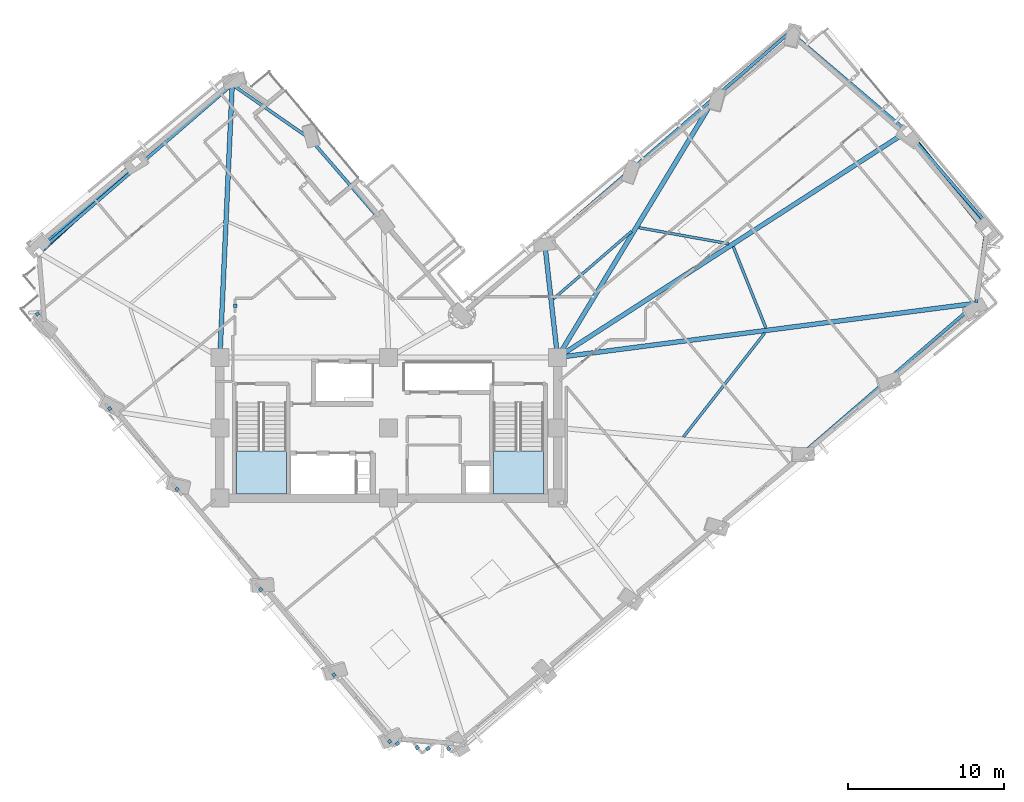
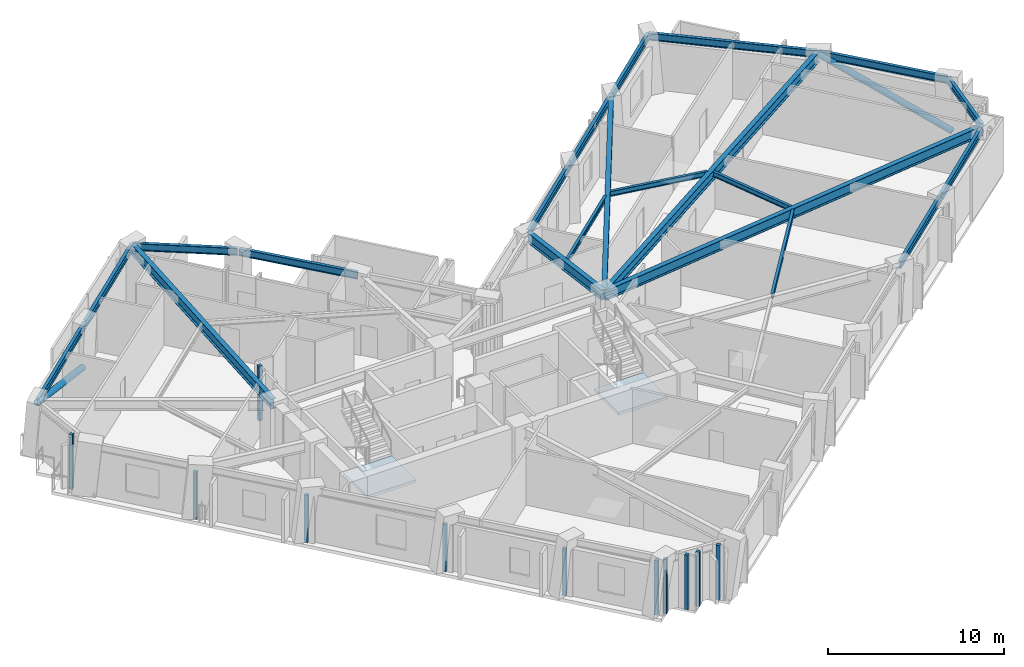
# One storey, part 2 of 14: 21 beams, 11 plates, 2 members, 2 slabs, 2 elements without a shape of their own.
"""IFC4 building model written with IfcOpenShell, lengths in metres."""

from ifc_helpers import new_model, si_unit, direction, frame, origin, origin_2d, place, context, subcontext, project, spatial, polyline, rectangle, hollow_circle, i_section, outline, extrude, material, layer, layer_set, material_profile, profile_set, type_object, element, aggregate, save


model = new_model("IFC4")

# Units and contexts
model_context = context("Model", 3, precision=1e-05, world=origin(), true_north=direction((0.0, 1.0)))
body_context = subcontext(model_context, "Body", "Model", "MODEL_VIEW")
ifc_project = project(units=[si_unit("LENGTHUNIT", "METRE"), si_unit("AREAUNIT", "SQUARE_METRE"), si_unit("VOLUMEUNIT", "CUBIC_METRE"), si_unit("PLANEANGLEUNIT", "RADIAN"), si_unit("MASSUNIT", "GRAM", prefix="KILO")], contexts=[model_context])

# Site, building, storey
site_placement = place(None, origin())
site = spatial("IfcSite", under=ifc_project, at=site_placement, CompositionType="ELEMENT")
building_placement = place(site_placement, origin())
building = spatial("IfcBuilding", under=site, at=building_placement, Name="Gaonmaruhae Medical Tower", CompositionType="ELEMENT")
storey_placement = place(building_placement, frame((0.0, 0.0, 193.800048828125)))
storey = spatial("IfcBuildingStorey", under=building, at=storey_placement, Name="L46", CompositionType="ELEMENT", Elevation=193.800048828125)

# Beams
ifc_material_1 = material(Name="Steel SM355", Category="steel")
ifc_material_profile_1 = material_profile(ifc_material_1, i_section(OverallWidth=0.175048828125, OverallDepth=0.35009765625, WebThickness=0.007080078125, FlangeThickness=0.010986328125, FilletRadius=0.012939453125, at=origin_2d()), Name="H-350x175x7x11")
ifc_profile_set_1 = profile_set([ifc_material_profile_1], Name="Steel SM355")
beam_type_1 = type_object("IfcBeamType", Name="FJ-02 Upper Zone Ward Floor Joist (H-350x175x7x11)", PredefinedType="JOIST", material=ifc_profile_set_1)
beam_1_placement = place(storey_placement, frame((43.654541015625, 11.718994140625, 3.60498046875), z_axis=(0.616280939373, 0.787526382901, 0.0), x_axis=(-0.787526382901, 0.616280939373, 0.0)))
element("IfcBeam", 1, at=beam_1_placement, inside=storey, type_object=beam_type_1, Name="L46 Secondary Floor Joist FJ03", PredefinedType="JOIST", context=body_context, shape_type="SweptSolid", body=[
    extrude(i_section(OverallWidth=0.175048828125, OverallDepth=0.35009765625, WebThickness=0.007080078125, FlangeThickness=0.010986328125, FilletRadius=0.012939453125, at=origin_2d()), origin(), (0.0, 0.0, 1.0), 8.432861328125),
])
beam_2_placement = place(storey_placement, frame((48.927001953125, 18.682373046875, 3.60498046875), z_axis=(-0.372622656474, 0.927982950211, 0.0), x_axis=(-0.927982950211, -0.372622656474, 0.0)))
element("IfcBeam", 2, at=beam_2_placement, inside=storey, type_object=beam_type_1, Name="L46 Secondary Floor Joist FJ04", PredefinedType="JOIST", context=body_context, shape_type="SweptSolid", body=[
    extrude(i_section(OverallWidth=0.175048828125, OverallDepth=0.35009765625, WebThickness=0.007080078125, FlangeThickness=0.010986328125, FilletRadius=0.012939453125, at=origin_2d()), origin(), (0.0, 0.0, 1.0), 5.601806640625),
])
beam_3_placement = place(storey_placement, frame((46.55810546875, 24.068115234375, 3.60498046875), z_axis=(-0.98429930746, 0.176507431386, 0.0), x_axis=(-0.176507431386, -0.98429930746, 0.0)))
element("IfcBeam", 3, at=beam_3_placement, inside=storey, type_object=beam_type_1, Name="L46 Secondary Floor Joist FJ05", PredefinedType="JOIST", context=body_context, shape_type="SweptSolid", body=[
    extrude(i_section(OverallWidth=0.175048828125, OverallDepth=0.35009765625, WebThickness=0.007080078125, FlangeThickness=0.010986328125, FilletRadius=0.012939453125, at=origin_2d()), origin(), (0.0, 0.0, 1.0), 5.8466796875),
])
beam_4_placement = place(storey_placement, frame((40.3359375, 24.867431640625, 3.60498046875), z_axis=(-0.756434277251, -0.654069708976, 0.0), x_axis=(0.654069708976, -0.756434277251, 0.0)))
element("IfcBeam", 4, at=beam_4_placement, inside=storey, type_object=beam_type_1, Name="L46 Secondary Floor Joist FJ06", PredefinedType="JOIST", context=body_context, shape_type="SweptSolid", body=[
    extrude(i_section(OverallWidth=0.175048828125, OverallDepth=0.35009765625, WebThickness=0.007080078125, FlangeThickness=0.010986328125, FilletRadius=0.012939453125, at=origin_2d()), origin(), (0.0, 0.0, 1.0), 6.611328125),
])

# Members
ifc_material_2 = material(Name="Steel SM420", Category="steel")
ifc_material_profile_2 = material_profile(ifc_material_2, hollow_circle(Radius=0.203125, WallThickness=0.0126953125, at=origin_2d()), Name="CHS-406.4x12.7")
ifc_profile_set_2 = profile_set([ifc_material_profile_2], Name="Steel SM420")
member_type = type_object("IfcMemberType", Name="PB-02 Perimeter Solid-Bay Tube Brace Mid (CHS-406.4x12.7)", PredefinedType="BRACE", material=ifc_profile_set_2)
member_1_placement = place(storey_placement, frame((63.067626953125, 24.86767578125, 0.25), z_axis=(-0.579531332691, 0.724982116544, 0.372215482107), x_axis=(-0.781107550174, -0.624396504683, 0.0)))
element("IfcMember", 5, at=member_1_placement, inside=storey, type_object=member_type, Name="L46 Perimeter Tube Solid-Bay Brace E01-E02", PredefinedType="BRACE", context=body_context, shape_type="SweptSolid", body=[
    extrude(hollow_circle(Radius=0.203125, WallThickness=0.0126953125, at=origin_2d()), origin(), (0.0, 0.0, 1.0), 8.812255859375),
])
member_2_placement = place(storey_placement, frame((8.657470703125, 29.2978515625, 0.25), z_axis=(-0.686582714994, -0.632266322295, 0.358947730405), x_axis=(0.677410544154, -0.735605162209, 0.0)))
element("IfcMember", 6, at=member_2_placement, inside=storey, type_object=member_type, Name="L46 Perimeter Tube Solid-Bay Brace N02-N03", PredefinedType="BRACE", context=body_context, shape_type="SweptSolid", body=[
    extrude(hollow_circle(Radius=0.203125, WallThickness=0.0126953125, at=origin_2d()), origin(), (0.0, 0.0, 1.0), 9.137939453125),
])

# Beams
ifc_material_profile_3 = material_profile(ifc_material_2, i_section(OverallWidth=0.300048828125, OverallDepth=0.699951171875, WebThickness=0.012939453125, FlangeThickness=0.02392578125, FilletRadius=0.01806640625, at=origin_2d()), Name="H-700x300x13x24")
ifc_profile_set_3 = profile_set([ifc_material_profile_3], Name="Steel SM420")
beam_type_2 = type_object("IfcBeamType", Name="PG-03 Zone 3 Radial Floor Girder (H-700x300x13x24)", PredefinedType="BEAM", material=ifc_profile_set_3)
beam_5_placement = place(storey_placement, frame((35.649658203125, 16.806396484375, 3.429931640625), z_axis=(0.991723707914, 0.128390370204, 0.0), x_axis=(-0.128390370204, 0.991723707914, 0.0)))
element("IfcBeam", 7, at=beam_5_placement, inside=storey, type_object=beam_type_2, Name="L46 Radial Primary Girder S07", PredefinedType="BEAM", context=body_context, shape_type="SweptSolid", body=[
    extrude(i_section(OverallWidth=0.300048828125, OverallDepth=0.699951171875, WebThickness=0.012939453125, FlangeThickness=0.02392578125, FilletRadius=0.01806640625, at=origin_2d()), origin(), (0.0, 0.0, 1.0), 26.8974609375),
])
beam_6_placement = place(storey_placement, frame((35.64208984375, 16.8271484375, 3.429931640625), z_axis=(0.839779487163, 0.542927631402, 0.0), x_axis=(-0.542927631402, 0.839779487163, 0.0)))
element("IfcBeam", 8, at=beam_6_placement, inside=storey, type_object=beam_type_2, Name="L46 Radial Primary Girder E02", PredefinedType="BEAM", context=body_context, shape_type="SweptSolid", body=[
    extrude(i_section(OverallWidth=0.300048828125, OverallDepth=0.699951171875, WebThickness=0.012939453125, FlangeThickness=0.02392578125, FilletRadius=0.01806640625, at=origin_2d()), origin(), (0.0, 0.0, 1.0), 26.52685546875),
])
beam_7_placement = place(storey_placement, frame((35.6259765625, 16.8427734375, 3.429931640625), z_axis=(0.517600697373, 0.855622298727, 0.0), x_axis=(-0.855622298727, 0.517600697373, 0.0)))
element("IfcBeam", 9, at=beam_7_placement, inside=storey, type_object=beam_type_2, Name="L46 Radial Primary Girder EN01", PredefinedType="BEAM", context=body_context, shape_type="SweptSolid", body=[
    extrude(i_section(OverallWidth=0.300048828125, OverallDepth=0.699951171875, WebThickness=0.012939453125, FlangeThickness=0.02392578125, FilletRadius=0.01806640625, at=origin_2d()), origin(), (0.0, 0.0, 1.0), 19.370361328125),
])
beam_8_placement = place(storey_placement, frame((35.594482421875, 16.849609375, 3.429931640625), z_axis=(-0.111773804797, 0.993733674865, 0.0), x_axis=(-0.993733674865, -0.111773804797, 0.0)))
element("IfcBeam", 10, at=beam_8_placement, inside=storey, type_object=beam_type_2, Name="L46 Radial Primary Girder EN03", PredefinedType="BEAM", context=body_context, shape_type="SweptSolid", body=[
    extrude(i_section(OverallWidth=0.300048828125, OverallDepth=0.699951171875, WebThickness=0.012939453125, FlangeThickness=0.02392578125, FilletRadius=0.01806640625, at=origin_2d()), origin(), (0.0, 0.0, 1.0), 7.18603515625),
])
beam_9_placement = place(storey_placement, frame((14.002197265625, 16.849853515625, 3.429931640625), z_axis=(0.045172334091, 0.998979209109, 0.0), x_axis=(-0.998979209109, 0.045172334091, 0.0)))
element("IfcBeam", 11, at=beam_9_placement, inside=storey, type_object=beam_type_2, Name="L46 Radial Primary Girder N01", PredefinedType="BEAM", context=body_context, shape_type="SweptSolid", body=[
    extrude(i_section(OverallWidth=0.300048828125, OverallDepth=0.699951171875, WebThickness=0.012939453125, FlangeThickness=0.02392578125, FilletRadius=0.01806640625, at=origin_2d()), origin(), (0.0, 0.0, 1.0), 17.365234375),
])
ifc_material_profile_4 = material_profile(ifc_material_1, i_section(OverallWidth=0.199951171875, OverallDepth=0.5, WebThickness=0.010009765625, FlangeThickness=0.01611328125, FilletRadius=0.012939453125, at=origin_2d()), Name="H-500x200x10x16")
ifc_profile_set_4 = profile_set([ifc_material_profile_4], Name="Steel SM355")
beam_type_3 = type_object("IfcBeamType", Name="SP-02 Upper Perimeter Spandrel Beam (H-500x200x10x16)", PredefinedType="SPANDREL", material=ifc_profile_set_4)
beam_10_placement = place(storey_placement, frame((51.51171875, 10.873779296875, 3.530029296875), z_axis=(0.756429655788, 0.654075053679, 0.0), x_axis=(-0.654075053679, 0.756429655788, 0.0)))
element("IfcBeam", 12, at=beam_10_placement, inside=storey, type_object=beam_type_3, Name="L46 Perimeter Spandrel Beam S05-S06", PredefinedType="SPANDREL", context=body_context, shape_type="SweptSolid", body=[
    extrude(i_section(OverallWidth=0.199951171875, OverallDepth=0.5, WebThickness=0.010009765625, FlangeThickness=0.01611328125, FilletRadius=0.012939453125, at=origin_2d()), origin(), (0.0, 0.0, 1.0), 7.119873046875),
])
beam_11_placement = place(storey_placement, frame((56.9580078125, 15.5830078125, 3.530029296875), z_axis=(0.756412690707, 0.65409467307, 0.0), x_axis=(-0.65409467307, 0.756412690707, 0.0)))
element("IfcBeam", 13, at=beam_11_placement, inside=storey, type_object=beam_type_3, Name="L46 Perimeter Spandrel Beam S06-S07", PredefinedType="SPANDREL", context=body_context, shape_type="SweptSolid", body=[
    extrude(i_section(OverallWidth=0.199951171875, OverallDepth=0.5, WebThickness=0.010009765625, FlangeThickness=0.01611328125, FilletRadius=0.012939453125, at=origin_2d()), origin(), (0.0, 0.0, 1.0), 7.1201171875),
])
beam_12_placement = place(storey_placement, frame((62.37939453125, 20.305908203125, 3.530029296875), z_axis=(0.134035798941, 0.990976490439, 0.0), x_axis=(-0.990976490439, 0.134035798941, 0.0)))
element("IfcBeam", 14, at=beam_12_placement, inside=storey, type_object=beam_type_3, Name="L46 Perimeter Spandrel Beam S07-E01", PredefinedType="SPANDREL", context=body_context, shape_type="SweptSolid", body=[
    extrude(i_section(OverallWidth=0.199951171875, OverallDepth=0.5, WebThickness=0.010009765625, FlangeThickness=0.01611328125, FilletRadius=0.012939453125, at=origin_2d()), origin(), (0.0, 0.0, 1.0), 5.056396484375),
])
beam_13_placement = place(storey_placement, frame((63.036376953125, 25.386474609375, 3.530029296875), z_axis=(-0.654084941872, 0.75642110548, 0.0), x_axis=(-0.75642110548, -0.654084941872, 0.0)))
element("IfcBeam", 15, at=beam_13_placement, inside=storey, type_object=beam_type_3, Name="L46 Perimeter Spandrel Beam E01-E02", PredefinedType="SPANDREL", context=body_context, shape_type="SweptSolid", body=[
    extrude(i_section(OverallWidth=0.199951171875, OverallDepth=0.5, WebThickness=0.010009765625, FlangeThickness=0.01611328125, FilletRadius=0.012939453125, at=origin_2d()), origin(), (0.0, 0.0, 1.0), 7.719970703125),
])
beam_14_placement = place(storey_placement, frame((57.93017578125, 31.2822265625, 3.530029296875), z_axis=(-0.761991909676, 0.647586542161, 0.0), x_axis=(-0.647586542161, -0.761991909676, 0.0)))
element("IfcBeam", 16, at=beam_14_placement, inside=storey, type_object=beam_type_3, Name="L46 Perimeter Spandrel Beam E02-E03", PredefinedType="SPANDREL", context=body_context, shape_type="SweptSolid", body=[
    extrude(i_section(OverallWidth=0.199951171875, OverallDepth=0.5, WebThickness=0.010009765625, FlangeThickness=0.01611328125, FilletRadius=0.012939453125, at=origin_2d()), origin(), (0.0, 0.0, 1.0), 9.7353515625),
])
beam_15_placement = place(storey_placement, frame((50.451171875, 37.58642578125, 3.530029296875), z_axis=(-0.756435022105, -0.654068847548, 0.0), x_axis=(0.654068847548, -0.756435022105, 0.0)))
element("IfcBeam", 17, at=beam_15_placement, inside=storey, type_object=beam_type_3, Name="L46 Perimeter Spandrel Beam E03-EN01", PredefinedType="SPANDREL", context=body_context, shape_type="SweptSolid", body=[
    extrude(i_section(OverallWidth=0.199951171875, OverallDepth=0.5, WebThickness=0.010009765625, FlangeThickness=0.01611328125, FilletRadius=0.012939453125, at=origin_2d()), origin(), (0.0, 0.0, 1.0), 6.27001953125),
])
for number, where, z_axis, x_axis, name in (
    (18, (45.64794921875, 33.43310546875, 3.530029296875), (-0.756429655788, -0.654075053679, 0.0), (0.654075053679, -0.756429655788, 0.0), "L46 Perimeter Spandrel Beam EN01-EN02"),
    (19, (40.20166015625, 28.7236328125, 3.530029296875), (-0.756429655788, -0.654075053679, 0.0), (0.654075053679, -0.756429655788, 0.0), "L46 Perimeter Spandrel Beam EN02-EN03"),
    (20, (24.43310546875, 25.38720703125, 3.510009765625), (-0.654075053679, 0.756429655788, 0.0), (-0.756429655788, -0.654075053679, 0.0), "L46 Perimeter Spandrel Beam NE01-NE02"),
):
    element("IfcBeam", number, at=place(storey_placement, frame(where, z_axis=z_axis, x_axis=x_axis)), inside=storey, type_object=beam_type_3, Name=name, PredefinedType="SPANDREL", context=body_context, shape_type="SweptSolid", body=[
        extrude(i_section(OverallWidth=0.199951171875, OverallDepth=0.5, WebThickness=0.010009765625, FlangeThickness=0.01611328125, FilletRadius=0.012939453125, at=origin_2d()), origin(), (0.0, 0.0, 1.0), 7.119873046875),
    ])
beam_16_placement = place(storey_placement, frame((19.717041015625, 30.825927734375, 3.510009765625), z_axis=(-0.821452597149, 0.570276801771, 0.0), x_axis=(-0.570276801771, -0.821452597149, 0.0)))
element("IfcBeam", 21, at=beam_16_placement, inside=storey, type_object=beam_type_3, Name="L46 Perimeter Spandrel Beam NE02-N01", PredefinedType="SPANDREL", context=body_context, shape_type="SweptSolid", body=[
    extrude(i_section(OverallWidth=0.199951171875, OverallDepth=0.5, WebThickness=0.010009765625, FlangeThickness=0.01611328125, FilletRadius=0.012939453125, at=origin_2d()), origin(), (0.0, 0.0, 1.0), 5.959228515625),
])
for number, where, z_axis, x_axis, name in (
    (22, (14.758544921875, 34.220947265625, 3.530029296875), (-0.756426695411, -0.654078477302, 0.0), (0.654078477302, -0.756426695411, 0.0), "L46 Perimeter Spandrel Beam N01-N02"),
    (23, (8.555908203125, 28.857421875, 3.530029296875), (-0.756426695411, -0.654078477302, 0.0), (0.654078477302, -0.756426695411, 0.0), "L46 Perimeter Spandrel Beam N02-N03"),
):
    element("IfcBeam", number, at=place(storey_placement, frame(where, z_axis=z_axis, x_axis=x_axis)), inside=storey, type_object=beam_type_3, Name=name, PredefinedType="SPANDREL", context=body_context, shape_type="SweptSolid", body=[
        extrude(i_section(OverallWidth=0.199951171875, OverallDepth=0.5, WebThickness=0.010009765625, FlangeThickness=0.01611328125, FilletRadius=0.012939453125, at=origin_2d()), origin(), (0.0, 0.0, 1.0), 8.119873046875),
    ])

# Plates
ifc_material_3 = material(Name="Anodised aluminium 6063-T6", Category="aluminium")
ifc_layer_1 = layer(ifc_material_3, 0.011962890625)
ifc_layer_set_1 = layer_set([ifc_layer_1], Name="Anodised aluminium 6063-T6")
plate_type = type_object("IfcPlateType", Name="PP-01 Interior Partition Corner Stiffener Plate", PredefinedType="SHEET", material=ifc_layer_set_1)
for number, where, z_axis, x_axis, name in (
    (24, (26.616455078125, -8.160400390625, 0.0), (0.0, 0.0, 1.0), (-0.641476410294, 0.767142760532, 0.0), "L46 Partition Corner Stiffener Plate PLT-L46-JGP-PW007"),
    (25, (25.3544921875, -7.903564453125, 0.0), (0.0, 0.0, 1.0), (-0.766694738603, -0.642011820607, 0.0), "L46 Partition Corner Stiffener Plate PLT-L46-JGP-PW008"),
    (26, (24.8564453125, -7.7705078125, 0.0), (0.0, 0.0, 1.0), (-0.641463021029, 0.76715395629, 0.0), "L46 Partition Corner Stiffener Plate PLT-L46-JGP-PW009"),
):
    element("IfcPlate", number, at=place(storey_placement, frame(where, z_axis=z_axis, x_axis=x_axis)), inside=storey, type_object=plate_type, Name=name, PredefinedType="SHEET", context=body_context, shape_type="SweptSolid", body=[
        extrude(rectangle(XDim=0.219970703125, YDim=0.219970703125, at=origin_2d()), origin(), (0.0, 0.0, 1.0), 3.780029296875),
    ])
plate_1_placement = place(storey_placement, frame((21.29541015625, -3.511474609375, 0.0), z_axis=(0.0, 0.0, 1.0), x_axis=(-0.641101437034, 0.767456153427, 0.0)))
element("IfcPlate", 27, at=plate_1_placement, inside=storey, type_object=plate_type, Name="L46 Partition Corner Stiffener Plate PLT-L46-JGP-PW010", PredefinedType="SHEET", context=body_context, shape_type="SweptSolid", body=[
    extrude(rectangle(XDim=0.219970703125, YDim=0.219970703125, at=origin_2d()), origin(), (0.0, 0.0, 1.0), 3.264892578125),
])
for number, where, z_axis, x_axis, name in (
    (28, (28.626953125, -8.22607421875, 0.0), (0.0, 0.0, 1.0), (-0.641369290705, 0.767232320057, 0.0), "L46 Partition Corner Stiffener Plate PLT-L46-JGP-PW014"),
    (29, (27.31201171875, -8.222412109375, 0.0), (0.0, 0.0, 1.0), (-0.767556847937, -0.640980877395, 0.0), "L46 Partition Corner Stiffener Plate PLT-L46-JGP-PW015"),
):
    element("IfcPlate", number, at=place(storey_placement, frame(where, z_axis=z_axis, x_axis=x_axis)), inside=storey, type_object=plate_type, Name=name, PredefinedType="SHEET", context=body_context, shape_type="SweptSolid", body=[
        extrude(rectangle(XDim=0.219970703125, YDim=0.219970703125, at=origin_2d()), origin(), (0.0, 0.0, 1.0), 3.780029296875),
    ])
for number, where, z_axis, x_axis, name in (
    (30, (16.615478515625, 1.96044921875, 0.0), (0.0, 0.0, 1.0), (-0.641476410294, 0.767142760532, 0.0), "L46 Partition Corner Stiffener Plate PLT-L46-JGP-PW037"),
    (31, (11.260009765625, 8.366455078125, 0.0), (0.0, 0.0, 1.0), (-0.641275550808, 0.767310672372, 0.0), "L46 Partition Corner Stiffener Plate PLT-L46-JGP-PW042"),
):
    element("IfcPlate", number, at=place(storey_placement, frame(where, z_axis=z_axis, x_axis=x_axis)), inside=storey, type_object=plate_type, Name=name, PredefinedType="SHEET", context=body_context, shape_type="SweptSolid", body=[
        extrude(rectangle(XDim=0.219970703125, YDim=0.219970703125, at=origin_2d()), origin(), (0.0, 0.0, 1.0), 3.264892578125),
    ])
plate_2_placement = place(storey_placement, frame((14.969970703125, 20.10693359375, 0.0), z_axis=(0.0, 0.0, 1.0), x_axis=(0.0, -1.0, 0.0)))
element("IfcPlate", 32, at=plate_2_placement, inside=storey, type_object=plate_type, Name="L46 Partition Corner Stiffener Plate PLT-L46-JGP-PW045", PredefinedType="SHEET", context=body_context, shape_type="SweptSolid", body=[
    extrude(rectangle(XDim=0.219970703125, YDim=0.219970703125, at=origin_2d()), origin(), (0.0, 0.0, 1.0), 3.780029296875),
])
plate_3_placement = place(storey_placement, frame((6.95361328125, 13.51708984375, 0.0), z_axis=(0.0, 0.0, 1.0), x_axis=(-0.641570129675, 0.767064383679, 0.0)))
element("IfcPlate", 33, at=plate_3_placement, inside=storey, type_object=plate_type, Name="L46 Partition Corner Stiffener Plate PLT-L46-JGP-PW046", PredefinedType="SHEET", context=body_context, shape_type="SweptSolid", body=[
    extrude(rectangle(XDim=0.219970703125, YDim=0.219970703125, at=origin_2d()), origin(), (0.0, 0.0, 1.0), 3.264892578125),
])
plate_4_placement = place(storey_placement, frame((2.333984375, 19.5791015625, 0.0), z_axis=(0.0, 0.0, 1.0), x_axis=(0.766795576125, 0.641891380559, 0.0)))
element("IfcPlate", 34, at=plate_4_placement, inside=storey, type_object=plate_type, Name="L46 Partition Corner Stiffener Plate PLT-L46-JGP-PW048", PredefinedType="SHEET", context=body_context, shape_type="SweptSolid", body=[
    extrude(rectangle(XDim=0.219970703125, YDim=0.219970703125, at=origin_2d()), origin(), (0.0, 0.0, 1.0), 3.780029296875),
])

# Stair, slab
ifc_material_4 = material(Name="Concrete C40/50", Category="concrete")
stair_type = type_object("IfcStairType", Name="ST-T1 Primary Core Escape Dogleg Stair", PredefinedType="TWO_QUARTER_TURN_STAIR", material=ifc_material_4)
stair_1_placement = place(storey_placement, origin())
stair_1 = element("IfcStair", 35, at=stair_1_placement, inside=storey, type_object=stair_type, Name="L46 Protected Escape Stair ST-01", PredefinedType="TWO_QUARTER_TURN_STAIR")
ifc_layer_2 = layer(ifc_material_4, 0.199951171875)
ifc_layer_set_2 = layer_set([ifc_layer_2], Name="Concrete C40/50")
slab_type = type_object("IfcSlabType", Name="SL-200 Stair & Ramp Intermediate Concrete Landing", PredefinedType="LANDING", material=ifc_layer_set_2)
slab_1_placement = place(storey_placement, frame((0.0, 0.0, 1.800048828125)))
slab_1 = element("IfcSlab", 36, at=slab_1_placement, type_object=slab_type, Name="ST-01 landing 1", PredefinedType="LANDING", context=body_context, shape_type="SweptSolid", body=[
    extrude(outline(polyline([(15.050048828125, 10.820068359375), (15.050048828125, 8.0791015625), (18.25, 8.0791015625), (18.25, 10.820068359375), (15.050048828125, 10.820068359375)])), origin(), (0.0, 0.0, 1.0), 0.199951171875),
])
aggregate(stair_1, [slab_1])

stair_2_placement = place(storey_placement, origin())
stair_2 = element("IfcStair", 37, at=stair_2_placement, inside=storey, type_object=stair_type, Name="L46 Protected Escape Stair ST-02", PredefinedType="TWO_QUARTER_TURN_STAIR")
slab_2_placement = place(storey_placement, frame((0.0, 0.0, 1.800048828125)))
slab_2 = element("IfcSlab", 38, at=slab_2_placement, type_object=slab_type, Name="ST-02 landing 1", PredefinedType="LANDING", context=body_context, shape_type="SweptSolid", body=[
    extrude(outline(polyline([(31.5, 10.820068359375), (31.5, 8.0791015625), (34.699951171875, 8.0791015625), (34.699951171875, 10.820068359375), (31.5, 10.820068359375)])), origin(), (0.0, 0.0, 1.0), 0.199951171875),
])
aggregate(stair_2, [slab_2])

save(model, "model.ifc")
